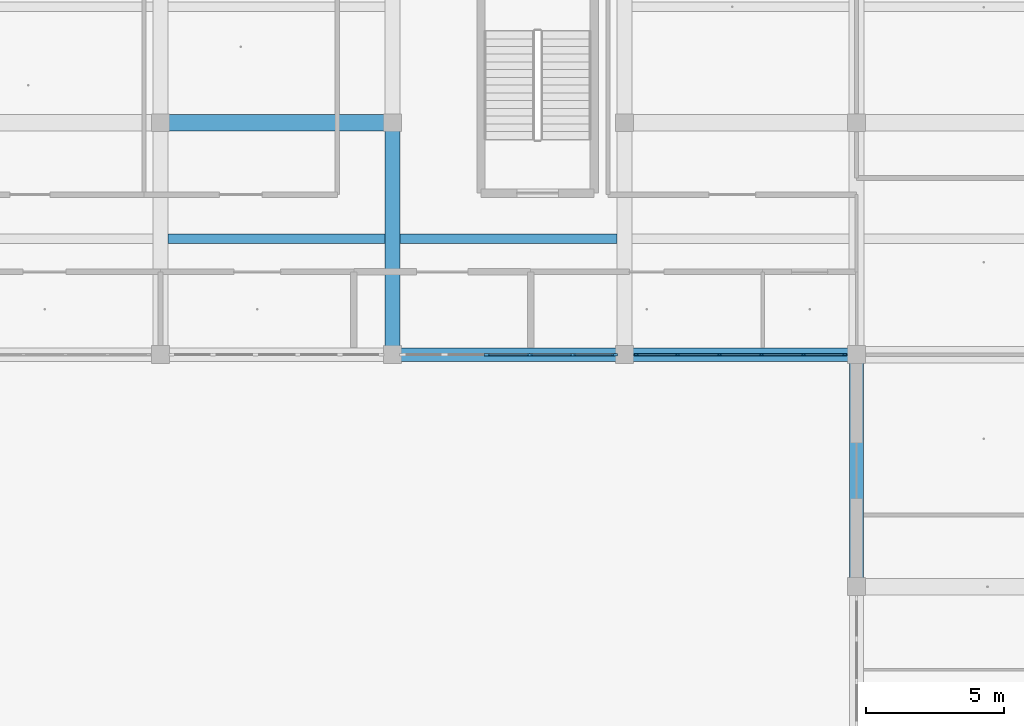
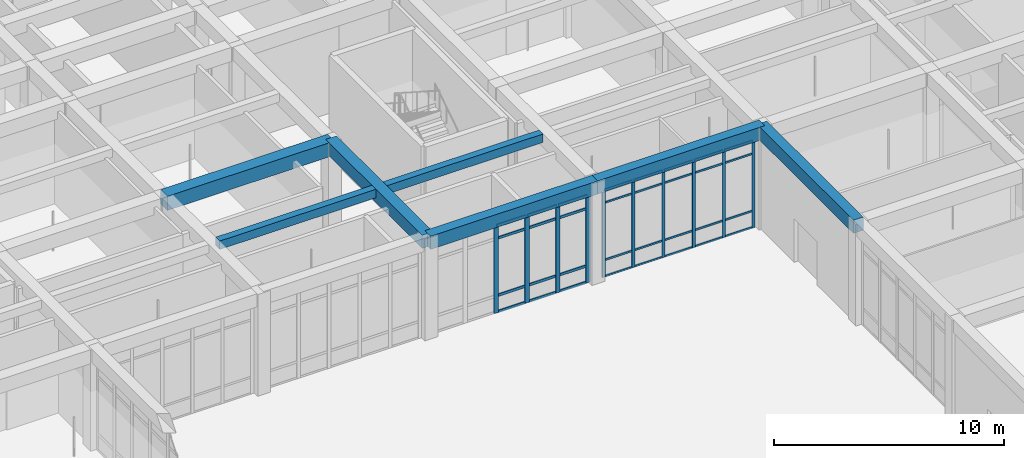
# One storey, part 42 of 167: 42 members, 7 beams, 2 elements without a shape of their own.
"""IFC4 building model written with IfcOpenShell, lengths in metres."""

from ifc_helpers import new_model, si_unit, direction, frame, origin, origin_2d, place, context, subcontext, project, spatial, rectangle, extrude, material, material_profile, profile_set, type_object, element, aggregate, save


model = new_model("IFC4")

# Units and contexts
model_context = context("Model", 3, precision=1e-05, world=origin(), true_north=direction((0.0, 1.0)))
body_context = subcontext(model_context, "Body", "Model", "MODEL_VIEW")
ifc_project = project(units=[si_unit("LENGTHUNIT", "METRE"), si_unit("AREAUNIT", "SQUARE_METRE"), si_unit("VOLUMEUNIT", "CUBIC_METRE"), si_unit("PLANEANGLEUNIT", "RADIAN"), si_unit("MASSUNIT", "GRAM", prefix="KILO")], contexts=[model_context])

# Site, building, storey
site_placement = place(None, origin())
site = spatial("IfcSite", under=ifc_project, at=site_placement, CompositionType="ELEMENT")
building_placement = place(site_placement, origin())
building = spatial("IfcBuilding", under=site, at=building_placement, Name="Varncliffe General Hospital", CompositionType="ELEMENT")
storey_placement = place(building_placement, origin())
storey = spatial("IfcBuildingStorey", under=building, at=storey_placement, Name="L00", CompositionType="ELEMENT", Elevation=0.0)

# Beams
ifc_material_1 = material(Name="Concrete C35/45 (CSA A23.1 35 MPa)", Category="concrete")
ifc_material_profile_1 = material_profile(ifc_material_1, rectangle(XDim=0.60009765625, YDim=0.75, at=origin_2d()), Name="RC 600x750")
ifc_profile_set_1 = profile_set([ifc_material_profile_1], Name="Concrete C35/45 (CSA A23.1 35 MPa)")
beam_type_1 = type_object("IfcBeamType", Name="Beam B23 (Int RC 600x750)", PredefinedType="BEAM", material=ifc_profile_set_1)
beam_1_placement = place(storey_placement, frame((126.0, 91.199951171875, 5.02490234375), z_axis=(1.0, 0.0, 0.0), x_axis=(0.0, 1.0, 0.0)))
element("IfcBeam", 1, at=beam_1_placement, inside=storey, type_object=beam_type_1, Name="L00 Primary Beam B23-145", PredefinedType="BEAM", context=body_context, shape_type="SweptSolid", body=[
    extrude(rectangle(XDim=0.60009765625, YDim=0.75, at=origin_2d()), origin(), (0.0, 0.0, 1.0), 8.39990234375),
])
ifc_material_profile_2 = material_profile(ifc_material_1, rectangle(XDim=0.550048828125, YDim=0.699951171875, at=origin_2d()), Name="RC 550x700")
ifc_profile_set_2 = profile_set([ifc_material_profile_2], Name="Concrete C35/45 (CSA A23.1 35 MPa)")
beam_type_2 = type_object("IfcBeamType", Name="Beam B35 (Int RC 550x700)", PredefinedType="BEAM", material=ifc_profile_set_2)
beam_2_placement = place(storey_placement, frame((134.39990234375, 82.800048828125, 5.050048828125), z_axis=(0.0, 1.0, 0.0), x_axis=(-1.0, 0.0, 0.0)))
element("IfcBeam", 2, at=beam_2_placement, inside=storey, type_object=beam_type_2, Name="L00 Primary Beam B35-443", PredefinedType="BEAM", context=body_context, shape_type="SweptSolid", body=[
    extrude(rectangle(XDim=0.550048828125, YDim=0.699951171875, at=origin_2d()), origin(), (0.0, 0.0, 1.0), 8.39990234375),
])

# Curtain wall, members
ifc_material_2 = material(Name="Triple low-E argon insulated vision glazing", Category="glass")
curtain_wall_type_1 = type_object("IfcCurtainWallType", Name="Unitised Glazed Curtain Wall CW26 (7594x4640)", PredefinedType="USERDEFINED", material=ifc_material_2)
curtain_wall_1_placement = place(storey_placement, origin())
curtain_wall_1 = element("IfcCurtainWall", 3, at=curtain_wall_1_placement, inside=storey, type_object=curtain_wall_type_1, Name="L00 Glazed Curtain Wall CW26-32", ObjectType="GLAZED CURTAIN WALL", PredefinedType="USERDEFINED")
ifc_material_3 = material(Name="Dark bronze thermally broken aluminium framing", Category="aluminium")
ifc_material_profile_3 = material_profile(ifc_material_3, rectangle(XDim=0.06494140625, YDim=0.159912109375, at=origin_2d()), Name="ALU 65x160")
ifc_profile_set_3 = profile_set([ifc_material_profile_3], Name="Dark bronze thermally broken aluminium framing")
member_type_1 = type_object("IfcMemberType", Name="Curtain Wall Mullion CM65 (ALU 65x160)", PredefinedType="MULLION", material=ifc_profile_set_3)
member_1_placement = place(storey_placement, frame((150.764404296875, 82.800048828125, 0.0), z_axis=(0.0, 0.0, 1.0), x_axis=(0.0, -1.0, 0.0)))
member_1 = element("IfcMember", 4, at=member_1_placement, type_object=member_type_1, Name="CW26 mullion 1", PredefinedType="MULLION", context=body_context, shape_type="SweptSolid", body=[
    extrude(rectangle(XDim=0.06494140625, YDim=0.159912109375, at=origin_2d()), origin(), (0.0, 0.0, 1.0), 4.639892578125),
])
member_2_placement = place(storey_placement, frame((149.2783203125, 82.800048828125, 0.0), z_axis=(0.0, 0.0, 1.0), x_axis=(0.0, -1.0, 0.0)))
member_2 = element("IfcMember", 5, at=member_2_placement, type_object=member_type_1, Name="CW26 mullion 2", PredefinedType="MULLION", context=body_context, shape_type="SweptSolid", body=[
    extrude(rectangle(XDim=0.06494140625, YDim=0.159912109375, at=origin_2d()), origin(), (0.0, 0.0, 1.0), 4.639892578125),
])
member_3_placement = place(storey_placement, frame((147.759521484375, 82.800048828125, 0.0), z_axis=(0.0, 0.0, 1.0), x_axis=(0.0, -1.0, 0.0)))
member_3 = element("IfcMember", 6, at=member_3_placement, type_object=member_type_1, Name="CW26 mullion 3", PredefinedType="MULLION", context=body_context, shape_type="SweptSolid", body=[
    extrude(rectangle(XDim=0.06494140625, YDim=0.159912109375, at=origin_2d()), origin(), (0.0, 0.0, 1.0), 4.639892578125),
])
member_4_placement = place(storey_placement, frame((146.240478515625, 82.800048828125, 0.0), z_axis=(0.0, 0.0, 1.0), x_axis=(0.0, -1.0, 0.0)))
member_4 = element("IfcMember", 7, at=member_4_placement, type_object=member_type_1, Name="CW26 mullion 4", PredefinedType="MULLION", context=body_context, shape_type="SweptSolid", body=[
    extrude(rectangle(XDim=0.06494140625, YDim=0.159912109375, at=origin_2d()), origin(), (0.0, 0.0, 1.0), 4.639892578125),
])
member_5_placement = place(storey_placement, frame((144.7216796875, 82.800048828125, 0.0), z_axis=(0.0, 0.0, 1.0), x_axis=(0.0, -1.0, 0.0)))
member_5 = element("IfcMember", 8, at=member_5_placement, type_object=member_type_1, Name="CW26 mullion 5", PredefinedType="MULLION", context=body_context, shape_type="SweptSolid", body=[
    extrude(rectangle(XDim=0.06494140625, YDim=0.159912109375, at=origin_2d()), origin(), (0.0, 0.0, 1.0), 4.639892578125),
])
member_6_placement = place(storey_placement, frame((143.235595703125, 82.800048828125, 0.0), z_axis=(0.0, 0.0, 1.0), x_axis=(0.0, -1.0, 0.0)))
member_6 = element("IfcMember", 9, at=member_6_placement, type_object=member_type_1, Name="CW26 mullion 6", PredefinedType="MULLION", context=body_context, shape_type="SweptSolid", body=[
    extrude(rectangle(XDim=0.06494140625, YDim=0.159912109375, at=origin_2d()), origin(), (0.0, 0.0, 1.0), 4.639892578125),
])

curtain_wall_type_2 = type_object("IfcCurtainWallType", Name="Unitised Glazed Curtain Wall CW66 (7754x4640)", PredefinedType="USERDEFINED", material=ifc_material_2)
curtain_wall_2_placement = place(storey_placement, origin())
curtain_wall_2 = element("IfcCurtainWall", 10, at=curtain_wall_2_placement, inside=storey, type_object=curtain_wall_type_2, Name="L00 Glazed Curtain Wall CW66-33", ObjectType="GLAZED CURTAIN WALL", PredefinedType="USERDEFINED")
ifc_material_profile_4 = material_profile(ifc_material_3, rectangle(XDim=0.074951171875, YDim=0.219970703125, at=origin_2d()), Name="ALU 75x220")
ifc_profile_set_4 = profile_set([ifc_material_profile_4], Name="Dark bronze thermally broken aluminium framing")
member_type_2 = type_object("IfcMemberType", Name="Curtain Wall Mullion CM74 (ALU 75x220)", PredefinedType="MULLION", material=ifc_profile_set_4)
member_7_placement = place(storey_placement, frame((142.439453125, 82.800048828125, 0.0), z_axis=(0.0, 0.0, 1.0), x_axis=(0.0, -1.0, 0.0)))
member_7 = element("IfcMember", 11, at=member_7_placement, type_object=member_type_2, Name="CW66 mullion 1", PredefinedType="MULLION", context=body_context, shape_type="SweptSolid", body=[
    extrude(rectangle(XDim=0.074951171875, YDim=0.219970703125, at=origin_2d()), origin(), (0.0, 0.0, 1.0), 4.639892578125),
])
member_8_placement = place(storey_placement, frame((140.92626953125, 82.800048828125, 0.0), z_axis=(0.0, 0.0, 1.0), x_axis=(0.0, -1.0, 0.0)))
member_8 = element("IfcMember", 12, at=member_8_placement, type_object=member_type_2, Name="CW66 mullion 2", PredefinedType="MULLION", context=body_context, shape_type="SweptSolid", body=[
    extrude(rectangle(XDim=0.074951171875, YDim=0.219970703125, at=origin_2d()), origin(), (0.0, 0.0, 1.0), 4.639892578125),
])
member_9_placement = place(storey_placement, frame((139.37548828125, 82.800048828125, 0.0), z_axis=(0.0, 0.0, 1.0), x_axis=(0.0, -1.0, 0.0)))
member_9 = element("IfcMember", 13, at=member_9_placement, type_object=member_type_2, Name="CW66 mullion 3", PredefinedType="MULLION", context=body_context, shape_type="SweptSolid", body=[
    extrude(rectangle(XDim=0.074951171875, YDim=0.219970703125, at=origin_2d()), origin(), (0.0, 0.0, 1.0), 4.639892578125),
])
member_10_placement = place(storey_placement, frame((137.82470703125, 82.800048828125, 0.0), z_axis=(0.0, 0.0, 1.0), x_axis=(0.0, -1.0, 0.0)))
member_10 = element("IfcMember", 14, at=member_10_placement, type_object=member_type_2, Name="CW66 mullion 4", PredefinedType="MULLION", context=body_context, shape_type="SweptSolid", body=[
    extrude(rectangle(XDim=0.074951171875, YDim=0.219970703125, at=origin_2d()), origin(), (0.0, 0.0, 1.0), 4.639892578125),
])

# Member
ifc_material_profile_5 = material_profile(ifc_material_3, rectangle(XDim=0.06005859375, YDim=0.10009765625, at=origin_2d()), Name="ALU 60x100")
ifc_profile_set_5 = profile_set([ifc_material_profile_5], Name="Dark bronze thermally broken aluminium framing")
member_type_3 = type_object("IfcMemberType", Name="Curtain Wall Transom CT18 (ALU 60x100)", PredefinedType="USERDEFINED", material=ifc_profile_set_5)
member_11_placement = place(storey_placement, frame((150.73193359375, 82.800048828125, 0.030029296875), z_axis=(-1.0, 0.0, 0.0), x_axis=(0.0, -1.0, 0.0)))
member_11 = element("IfcMember", 15, at=member_11_placement, type_object=member_type_3, Name="CW26 transom 1.1", ObjectType="TRANSOM", PredefinedType="USERDEFINED", context=body_context, shape_type="SweptSolid", body=[
    extrude(rectangle(XDim=0.06005859375, YDim=0.10009765625, at=origin_2d()), origin(), (0.0, 0.0, 1.0), 1.421142578125),
])

member_12_placement = place(storey_placement, frame((150.73193359375, 82.800048828125, 0.89990234375), z_axis=(-1.0, 0.0, 0.0), x_axis=(0.0, -1.0, 0.0)))
member_12 = element("IfcMember", 16, at=member_12_placement, type_object=member_type_3, Name="CW26 transom 1.2", ObjectType="TRANSOM", PredefinedType="USERDEFINED", context=body_context, shape_type="SweptSolid", body=[
    extrude(rectangle(XDim=0.06005859375, YDim=0.10009765625, at=origin_2d()), origin(), (0.0, 0.0, 1.0), 1.421142578125),
])

member_13_placement = place(storey_placement, frame((150.73193359375, 82.800048828125, 3.93994140625), z_axis=(-1.0, 0.0, 0.0), x_axis=(0.0, -1.0, 0.0)))
member_13 = element("IfcMember", 17, at=member_13_placement, type_object=member_type_3, Name="CW26 transom 1.3", ObjectType="TRANSOM", PredefinedType="USERDEFINED", context=body_context, shape_type="SweptSolid", body=[
    extrude(rectangle(XDim=0.06005859375, YDim=0.10009765625, at=origin_2d()), origin(), (0.0, 0.0, 1.0), 1.421142578125),
])

member_14_placement = place(storey_placement, frame((150.73193359375, 82.800048828125, 4.610107421875), z_axis=(-1.0, 0.0, 0.0), x_axis=(0.0, -1.0, 0.0)))
member_14 = element("IfcMember", 18, at=member_14_placement, type_object=member_type_3, Name="CW26 transom 1.4", ObjectType="TRANSOM", PredefinedType="USERDEFINED", context=body_context, shape_type="SweptSolid", body=[
    extrude(rectangle(XDim=0.06005859375, YDim=0.10009765625, at=origin_2d()), origin(), (0.0, 0.0, 1.0), 1.421142578125),
])

member_15_placement = place(storey_placement, frame((149.24560546875, 82.800048828125, 0.030029296875), z_axis=(-1.0, 0.0, 0.0), x_axis=(0.0, -1.0, 0.0)))
member_15 = element("IfcMember", 19, at=member_15_placement, type_object=member_type_3, Name="CW26 transom 2.1", ObjectType="TRANSOM", PredefinedType="USERDEFINED", context=body_context, shape_type="SweptSolid", body=[
    extrude(rectangle(XDim=0.06005859375, YDim=0.10009765625, at=origin_2d()), origin(), (0.0, 0.0, 1.0), 1.45361328125),
])

member_16_placement = place(storey_placement, frame((149.24560546875, 82.800048828125, 0.89990234375), z_axis=(-1.0, 0.0, 0.0), x_axis=(0.0, -1.0, 0.0)))
member_16 = element("IfcMember", 20, at=member_16_placement, type_object=member_type_3, Name="CW26 transom 2.2", ObjectType="TRANSOM", PredefinedType="USERDEFINED", context=body_context, shape_type="SweptSolid", body=[
    extrude(rectangle(XDim=0.06005859375, YDim=0.10009765625, at=origin_2d()), origin(), (0.0, 0.0, 1.0), 1.45361328125),
])

member_17_placement = place(storey_placement, frame((149.24560546875, 82.800048828125, 3.93994140625), z_axis=(-1.0, 0.0, 0.0), x_axis=(0.0, -1.0, 0.0)))
member_17 = element("IfcMember", 21, at=member_17_placement, type_object=member_type_3, Name="CW26 transom 2.3", ObjectType="TRANSOM", PredefinedType="USERDEFINED", context=body_context, shape_type="SweptSolid", body=[
    extrude(rectangle(XDim=0.06005859375, YDim=0.10009765625, at=origin_2d()), origin(), (0.0, 0.0, 1.0), 1.45361328125),
])

member_18_placement = place(storey_placement, frame((149.24560546875, 82.800048828125, 4.610107421875), z_axis=(-1.0, 0.0, 0.0), x_axis=(0.0, -1.0, 0.0)))
member_18 = element("IfcMember", 22, at=member_18_placement, type_object=member_type_3, Name="CW26 transom 2.4", ObjectType="TRANSOM", PredefinedType="USERDEFINED", context=body_context, shape_type="SweptSolid", body=[
    extrude(rectangle(XDim=0.06005859375, YDim=0.10009765625, at=origin_2d()), origin(), (0.0, 0.0, 1.0), 1.45361328125),
])

member_19_placement = place(storey_placement, frame((147.726806640625, 82.800048828125, 0.030029296875), z_axis=(-1.0, 0.0, 0.0), x_axis=(0.0, -1.0, 0.0)))
member_19 = element("IfcMember", 23, at=member_19_placement, type_object=member_type_3, Name="CW26 transom 3.1", ObjectType="TRANSOM", PredefinedType="USERDEFINED", context=body_context, shape_type="SweptSolid", body=[
    extrude(rectangle(XDim=0.06005859375, YDim=0.10009765625, at=origin_2d()), origin(), (0.0, 0.0, 1.0), 1.45361328125),
])

member_20_placement = place(storey_placement, frame((147.726806640625, 82.800048828125, 0.89990234375), z_axis=(-1.0, 0.0, 0.0), x_axis=(0.0, -1.0, 0.0)))
member_20 = element("IfcMember", 24, at=member_20_placement, type_object=member_type_3, Name="CW26 transom 3.2", ObjectType="TRANSOM", PredefinedType="USERDEFINED", context=body_context, shape_type="SweptSolid", body=[
    extrude(rectangle(XDim=0.06005859375, YDim=0.10009765625, at=origin_2d()), origin(), (0.0, 0.0, 1.0), 1.45361328125),
])

member_21_placement = place(storey_placement, frame((147.726806640625, 82.800048828125, 3.93994140625), z_axis=(-1.0, 0.0, 0.0), x_axis=(0.0, -1.0, 0.0)))
member_21 = element("IfcMember", 25, at=member_21_placement, type_object=member_type_3, Name="CW26 transom 3.3", ObjectType="TRANSOM", PredefinedType="USERDEFINED", context=body_context, shape_type="SweptSolid", body=[
    extrude(rectangle(XDim=0.06005859375, YDim=0.10009765625, at=origin_2d()), origin(), (0.0, 0.0, 1.0), 1.45361328125),
])

member_22_placement = place(storey_placement, frame((147.726806640625, 82.800048828125, 4.610107421875), z_axis=(-1.0, 0.0, 0.0), x_axis=(0.0, -1.0, 0.0)))
member_22 = element("IfcMember", 26, at=member_22_placement, type_object=member_type_3, Name="CW26 transom 3.4", ObjectType="TRANSOM", PredefinedType="USERDEFINED", context=body_context, shape_type="SweptSolid", body=[
    extrude(rectangle(XDim=0.06005859375, YDim=0.10009765625, at=origin_2d()), origin(), (0.0, 0.0, 1.0), 1.45361328125),
])

member_23_placement = place(storey_placement, frame((146.2080078125, 82.800048828125, 0.030029296875), z_axis=(-1.0, 0.0, 0.0), x_axis=(0.0, -1.0, 0.0)))
member_23 = element("IfcMember", 27, at=member_23_placement, type_object=member_type_3, Name="CW26 transom 4.1", ObjectType="TRANSOM", PredefinedType="USERDEFINED", context=body_context, shape_type="SweptSolid", body=[
    extrude(rectangle(XDim=0.06005859375, YDim=0.10009765625, at=origin_2d()), origin(), (0.0, 0.0, 1.0), 1.45361328125),
])

member_24_placement = place(storey_placement, frame((146.2080078125, 82.800048828125, 0.89990234375), z_axis=(-1.0, 0.0, 0.0), x_axis=(0.0, -1.0, 0.0)))
member_24 = element("IfcMember", 28, at=member_24_placement, type_object=member_type_3, Name="CW26 transom 4.2", ObjectType="TRANSOM", PredefinedType="USERDEFINED", context=body_context, shape_type="SweptSolid", body=[
    extrude(rectangle(XDim=0.06005859375, YDim=0.10009765625, at=origin_2d()), origin(), (0.0, 0.0, 1.0), 1.45361328125),
])

member_25_placement = place(storey_placement, frame((146.2080078125, 82.800048828125, 3.93994140625), z_axis=(-1.0, 0.0, 0.0), x_axis=(0.0, -1.0, 0.0)))
member_25 = element("IfcMember", 29, at=member_25_placement, type_object=member_type_3, Name="CW26 transom 4.3", ObjectType="TRANSOM", PredefinedType="USERDEFINED", context=body_context, shape_type="SweptSolid", body=[
    extrude(rectangle(XDim=0.06005859375, YDim=0.10009765625, at=origin_2d()), origin(), (0.0, 0.0, 1.0), 1.45361328125),
])

member_26_placement = place(storey_placement, frame((146.2080078125, 82.800048828125, 4.610107421875), z_axis=(-1.0, 0.0, 0.0), x_axis=(0.0, -1.0, 0.0)))
member_26 = element("IfcMember", 30, at=member_26_placement, type_object=member_type_3, Name="CW26 transom 4.4", ObjectType="TRANSOM", PredefinedType="USERDEFINED", context=body_context, shape_type="SweptSolid", body=[
    extrude(rectangle(XDim=0.06005859375, YDim=0.10009765625, at=origin_2d()), origin(), (0.0, 0.0, 1.0), 1.45361328125),
])

member_27_placement = place(storey_placement, frame((144.689208984375, 82.800048828125, 0.030029296875), z_axis=(-1.0, 0.0, 0.0), x_axis=(0.0, -1.0, 0.0)))
member_27 = element("IfcMember", 31, at=member_27_placement, type_object=member_type_3, Name="CW26 transom 5.1", ObjectType="TRANSOM", PredefinedType="USERDEFINED", context=body_context, shape_type="SweptSolid", body=[
    extrude(rectangle(XDim=0.06005859375, YDim=0.10009765625, at=origin_2d()), origin(), (0.0, 0.0, 1.0), 1.421142578125),
])

member_28_placement = place(storey_placement, frame((144.689208984375, 82.800048828125, 0.89990234375), z_axis=(-1.0, 0.0, 0.0), x_axis=(0.0, -1.0, 0.0)))
member_28 = element("IfcMember", 32, at=member_28_placement, type_object=member_type_3, Name="CW26 transom 5.2", ObjectType="TRANSOM", PredefinedType="USERDEFINED", context=body_context, shape_type="SweptSolid", body=[
    extrude(rectangle(XDim=0.06005859375, YDim=0.10009765625, at=origin_2d()), origin(), (0.0, 0.0, 1.0), 1.421142578125),
])

member_29_placement = place(storey_placement, frame((144.689208984375, 82.800048828125, 3.93994140625), z_axis=(-1.0, 0.0, 0.0), x_axis=(0.0, -1.0, 0.0)))
member_29 = element("IfcMember", 33, at=member_29_placement, type_object=member_type_3, Name="CW26 transom 5.3", ObjectType="TRANSOM", PredefinedType="USERDEFINED", context=body_context, shape_type="SweptSolid", body=[
    extrude(rectangle(XDim=0.06005859375, YDim=0.10009765625, at=origin_2d()), origin(), (0.0, 0.0, 1.0), 1.421142578125),
])

member_30_placement = place(storey_placement, frame((144.689208984375, 82.800048828125, 4.610107421875), z_axis=(-1.0, 0.0, 0.0), x_axis=(0.0, -1.0, 0.0)))
member_30 = element("IfcMember", 34, at=member_30_placement, type_object=member_type_3, Name="CW26 transom 5.4", ObjectType="TRANSOM", PredefinedType="USERDEFINED", context=body_context, shape_type="SweptSolid", body=[
    extrude(rectangle(XDim=0.06005859375, YDim=0.10009765625, at=origin_2d()), origin(), (0.0, 0.0, 1.0), 1.421142578125),
])

aggregate(curtain_wall_1, [member_1, member_2, member_3, member_4, member_5, member_6, member_11, member_12, member_13, member_14, member_15, member_16, member_17, member_18, member_19, member_20, member_21, member_22, member_23, member_24, member_25, member_26, member_27, member_28, member_29, member_30])

ifc_material_profile_6 = material_profile(ifc_material_3, rectangle(XDim=0.06494140625, YDim=0.139892578125, at=origin_2d()), Name="ALU 65x140")
ifc_profile_set_6 = profile_set([ifc_material_profile_6], Name="Dark bronze thermally broken aluminium framing")
member_type_4 = type_object("IfcMemberType", Name="Curtain Wall Transom CT69 (ALU 65x140)", PredefinedType="USERDEFINED", material=ifc_profile_set_6)
member_31_placement = place(storey_placement, frame((142.402099609375, 82.800048828125, 0.032470703125), z_axis=(-1.0, 0.0, 0.0), x_axis=(0.0, -1.0, 0.0)))
member_31 = element("IfcMember", 35, at=member_31_placement, type_object=member_type_4, Name="CW66 transom 1.1", ObjectType="TRANSOM", PredefinedType="USERDEFINED", context=body_context, shape_type="SweptSolid", body=[
    extrude(rectangle(XDim=0.06494140625, YDim=0.139892578125, at=origin_2d()), origin(), (0.0, 0.0, 1.0), 1.4384765625),
])

member_32_placement = place(storey_placement, frame((142.402099609375, 82.800048828125, 0.89990234375), z_axis=(-1.0, 0.0, 0.0), x_axis=(0.0, -1.0, 0.0)))
member_32 = element("IfcMember", 36, at=member_32_placement, type_object=member_type_4, Name="CW66 transom 1.2", ObjectType="TRANSOM", PredefinedType="USERDEFINED", context=body_context, shape_type="SweptSolid", body=[
    extrude(rectangle(XDim=0.06494140625, YDim=0.139892578125, at=origin_2d()), origin(), (0.0, 0.0, 1.0), 1.4384765625),
])

member_33_placement = place(storey_placement, frame((142.402099609375, 82.800048828125, 3.93994140625), z_axis=(-1.0, 0.0, 0.0), x_axis=(0.0, -1.0, 0.0)))
member_33 = element("IfcMember", 37, at=member_33_placement, type_object=member_type_4, Name="CW66 transom 1.3", ObjectType="TRANSOM", PredefinedType="USERDEFINED", context=body_context, shape_type="SweptSolid", body=[
    extrude(rectangle(XDim=0.06494140625, YDim=0.139892578125, at=origin_2d()), origin(), (0.0, 0.0, 1.0), 1.4384765625),
])

member_34_placement = place(storey_placement, frame((142.402099609375, 82.800048828125, 4.607421875), z_axis=(-1.0, 0.0, 0.0), x_axis=(0.0, -1.0, 0.0)))
member_34 = element("IfcMember", 38, at=member_34_placement, type_object=member_type_4, Name="CW66 transom 1.4", ObjectType="TRANSOM", PredefinedType="USERDEFINED", context=body_context, shape_type="SweptSolid", body=[
    extrude(rectangle(XDim=0.06494140625, YDim=0.139892578125, at=origin_2d()), origin(), (0.0, 0.0, 1.0), 1.4384765625),
])

member_35_placement = place(storey_placement, frame((140.888671875, 82.800048828125, 0.032470703125), z_axis=(-1.0, 0.0, 0.0), x_axis=(0.0, -1.0, 0.0)))
member_35 = element("IfcMember", 39, at=member_35_placement, type_object=member_type_4, Name="CW66 transom 2.1", ObjectType="TRANSOM", PredefinedType="USERDEFINED", context=body_context, shape_type="SweptSolid", body=[
    extrude(rectangle(XDim=0.06494140625, YDim=0.139892578125, at=origin_2d()), origin(), (0.0, 0.0, 1.0), 1.475830078125),
])

member_36_placement = place(storey_placement, frame((140.888671875, 82.800048828125, 0.89990234375), z_axis=(-1.0, 0.0, 0.0), x_axis=(0.0, -1.0, 0.0)))
member_36 = element("IfcMember", 40, at=member_36_placement, type_object=member_type_4, Name="CW66 transom 2.2", ObjectType="TRANSOM", PredefinedType="USERDEFINED", context=body_context, shape_type="SweptSolid", body=[
    extrude(rectangle(XDim=0.06494140625, YDim=0.139892578125, at=origin_2d()), origin(), (0.0, 0.0, 1.0), 1.475830078125),
])

member_37_placement = place(storey_placement, frame((140.888671875, 82.800048828125, 3.93994140625), z_axis=(-1.0, 0.0, 0.0), x_axis=(0.0, -1.0, 0.0)))
member_37 = element("IfcMember", 41, at=member_37_placement, type_object=member_type_4, Name="CW66 transom 2.3", ObjectType="TRANSOM", PredefinedType="USERDEFINED", context=body_context, shape_type="SweptSolid", body=[
    extrude(rectangle(XDim=0.06494140625, YDim=0.139892578125, at=origin_2d()), origin(), (0.0, 0.0, 1.0), 1.475830078125),
])

member_38_placement = place(storey_placement, frame((140.888671875, 82.800048828125, 4.607421875), z_axis=(-1.0, 0.0, 0.0), x_axis=(0.0, -1.0, 0.0)))
member_38 = element("IfcMember", 42, at=member_38_placement, type_object=member_type_4, Name="CW66 transom 2.4", ObjectType="TRANSOM", PredefinedType="USERDEFINED", context=body_context, shape_type="SweptSolid", body=[
    extrude(rectangle(XDim=0.06494140625, YDim=0.139892578125, at=origin_2d()), origin(), (0.0, 0.0, 1.0), 1.475830078125),
])

member_39_placement = place(storey_placement, frame((139.337890625, 82.800048828125, 0.032470703125), z_axis=(-1.0, 0.0, 0.0), x_axis=(0.0, -1.0, 0.0)))
member_39 = element("IfcMember", 43, at=member_39_placement, type_object=member_type_4, Name="CW66 transom 3.1", ObjectType="TRANSOM", PredefinedType="USERDEFINED", context=body_context, shape_type="SweptSolid", body=[
    extrude(rectangle(XDim=0.06494140625, YDim=0.139892578125, at=origin_2d()), origin(), (0.0, 0.0, 1.0), 1.475830078125),
])

member_40_placement = place(storey_placement, frame((139.337890625, 82.800048828125, 0.89990234375), z_axis=(-1.0, 0.0, 0.0), x_axis=(0.0, -1.0, 0.0)))
member_40 = element("IfcMember", 44, at=member_40_placement, type_object=member_type_4, Name="CW66 transom 3.2", ObjectType="TRANSOM", PredefinedType="USERDEFINED", context=body_context, shape_type="SweptSolid", body=[
    extrude(rectangle(XDim=0.06494140625, YDim=0.139892578125, at=origin_2d()), origin(), (0.0, 0.0, 1.0), 1.475830078125),
])

member_41_placement = place(storey_placement, frame((139.337890625, 82.800048828125, 3.93994140625), z_axis=(-1.0, 0.0, 0.0), x_axis=(0.0, -1.0, 0.0)))
member_41 = element("IfcMember", 45, at=member_41_placement, type_object=member_type_4, Name="CW66 transom 3.3", ObjectType="TRANSOM", PredefinedType="USERDEFINED", context=body_context, shape_type="SweptSolid", body=[
    extrude(rectangle(XDim=0.06494140625, YDim=0.139892578125, at=origin_2d()), origin(), (0.0, 0.0, 1.0), 1.475830078125),
])

member_42_placement = place(storey_placement, frame((139.337890625, 82.800048828125, 4.607421875), z_axis=(-1.0, 0.0, 0.0), x_axis=(0.0, -1.0, 0.0)))
member_42 = element("IfcMember", 46, at=member_42_placement, type_object=member_type_4, Name="CW66 transom 3.4", ObjectType="TRANSOM", PredefinedType="USERDEFINED", context=body_context, shape_type="SweptSolid", body=[
    extrude(rectangle(XDim=0.06494140625, YDim=0.139892578125, at=origin_2d()), origin(), (0.0, 0.0, 1.0), 1.475830078125),
])

aggregate(curtain_wall_2, [member_7, member_8, member_9, member_10, member_31, member_32, member_33, member_34, member_35, member_36, member_37, member_38, member_39, member_40, member_41, member_42])

# Beams
ifc_material_profile_7 = material_profile(ifc_material_1, rectangle(XDim=0.35009765625, YDim=0.449951171875, at=origin_2d()), Name="RC 350x450")
ifc_profile_set_7 = profile_set([ifc_material_profile_7], Name="Concrete C35/45 (CSA A23.1 35 MPa)")
beam_type_3 = type_object("IfcBeamType", Name="Joist J55 (Int RC 350x450)", PredefinedType="JOIST", material=ifc_profile_set_7)
for number, where, z_axis, x_axis, name in (
    (47, (126.27294921875, 87.0, 5.175048828125), (1.0, 0.0, 0.0), (0.0, 1.0, 0.0), "L00 Secondary Floor Rib J55-63"),
    (48, (134.673095703125, 87.0, 5.175048828125), (1.0, 0.0, 0.0), (0.0, 1.0, 0.0), "L00 Secondary Floor Rib J55-66"),
):
    element("IfcBeam", number, at=place(storey_placement, frame(where, z_axis=z_axis, x_axis=x_axis)), inside=storey, type_object=beam_type_3, Name=name, PredefinedType="JOIST", context=body_context, shape_type="SweptSolid", body=[
        extrude(rectangle(XDim=0.35009765625, YDim=0.449951171875, at=origin_2d()), origin(), (0.0, 0.0, 1.0), 7.85400390625),
    ])
ifc_material_profile_8 = material_profile(ifc_material_1, rectangle(XDim=0.5, YDim=0.699951171875, at=origin_2d()), Name="RC 500x700")
ifc_profile_set_8 = profile_set([ifc_material_profile_8], Name="Concrete C35/45 (CSA A23.1 35 MPa)")
beam_type_4 = type_object("IfcBeamType", Name="Spandrel SP19 (Ext RC 500x700)", PredefinedType="SPANDREL", material=ifc_profile_set_8)
beam_3_placement = place(storey_placement, frame((134.39990234375, 82.800048828125, 5.050048828125), z_axis=(1.0, 0.0, 0.0), x_axis=(0.0, 1.0, 0.0)))
element("IfcBeam", 49, at=beam_3_placement, inside=storey, type_object=beam_type_4, Name="L00 Spandrel Beam SP19-128", PredefinedType="SPANDREL", context=body_context, shape_type="SweptSolid", body=[
    extrude(rectangle(XDim=0.5, YDim=0.699951171875, at=origin_2d()), origin(), (0.0, 0.0, 1.0), 8.400146484375),
])
beam_4_placement = place(storey_placement, frame((142.800048828125, 82.800048828125, 5.050048828125), z_axis=(1.0, 0.0, 0.0), x_axis=(0.0, 1.0, 0.0)))
element("IfcBeam", 50, at=beam_4_placement, inside=storey, type_object=beam_type_4, Name="L00 Spandrel Beam SP19-129", PredefinedType="SPANDREL", context=body_context, shape_type="SweptSolid", body=[
    extrude(rectangle(XDim=0.5, YDim=0.699951171875, at=origin_2d()), origin(), (0.0, 0.0, 1.0), 8.39990234375),
])
beam_5_placement = place(storey_placement, frame((151.199951171875, 74.39990234375, 5.050048828125), z_axis=(0.0, 1.0, 0.0), x_axis=(-1.0, 0.0, 0.0)))
element("IfcBeam", 51, at=beam_5_placement, inside=storey, type_object=beam_type_4, Name="L00 Spandrel Beam SP19-468", PredefinedType="SPANDREL", context=body_context, shape_type="SweptSolid", body=[
    extrude(rectangle(XDim=0.5, YDim=0.699951171875, at=origin_2d()), origin(), (0.0, 0.0, 1.0), 8.400146484375),
])

save(model, "model.ifc")
